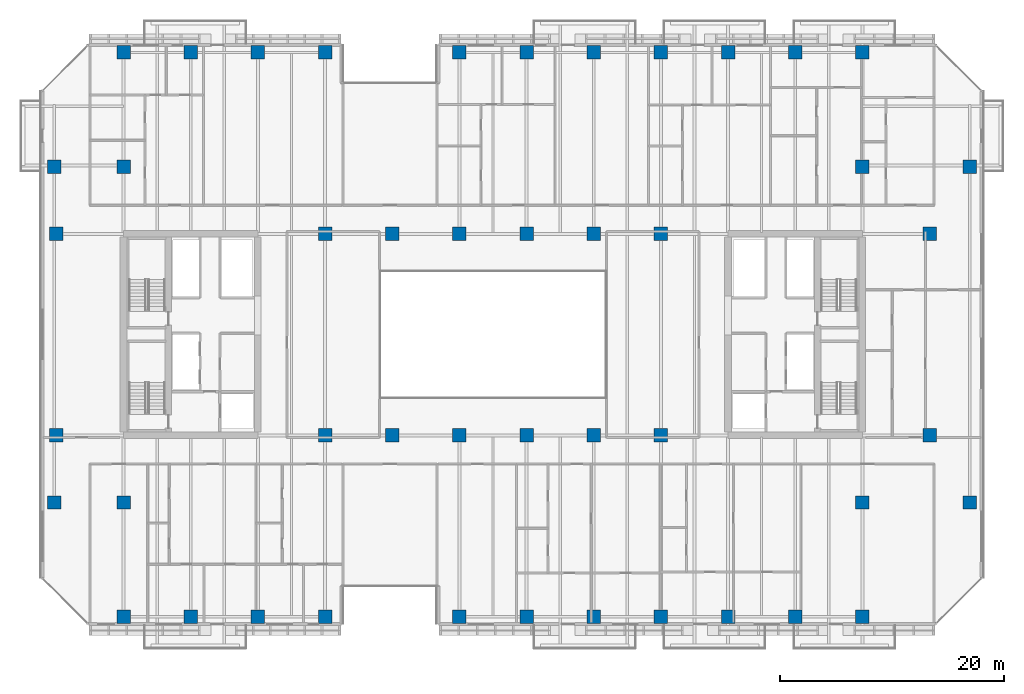
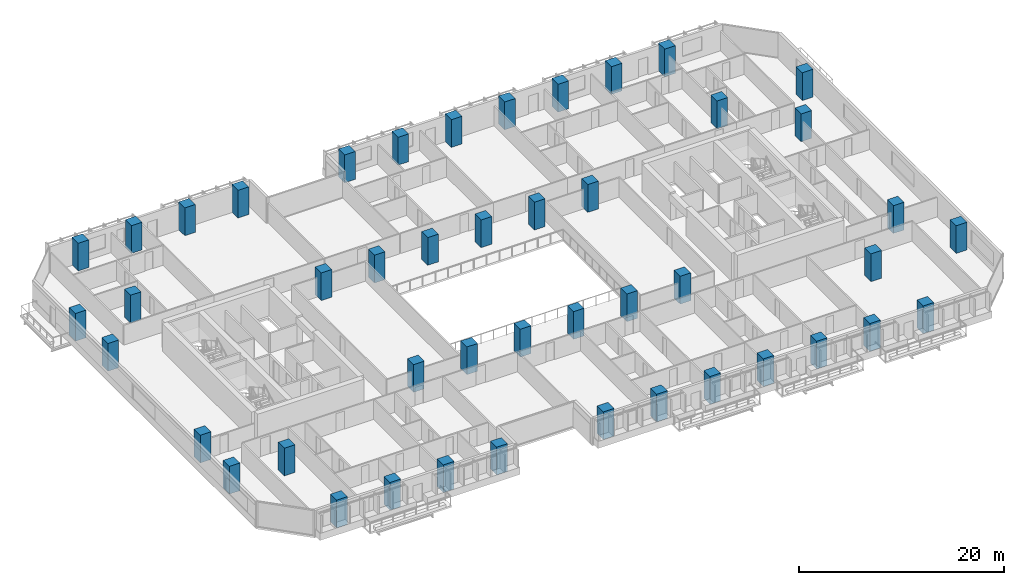
# One storey, part 1 of 33: 46 columns.
"""IFC4 building model written with IfcOpenShell, lengths in metres."""

from ifc_helpers import new_model, si_unit, direction, frame, origin, origin_2d, place, context, subcontext, project, spatial, rectangle, extrude, material, material_profile, profile_set, type_object, element, save


model = new_model("IFC4")

# Units and contexts
model_context = context("Model", 3, precision=1e-05, world=origin(), true_north=direction((0.0, 1.0)))
body_context = subcontext(model_context, "Body", "Model", "MODEL_VIEW")
ifc_project = project(units=[si_unit("LENGTHUNIT", "METRE"), si_unit("AREAUNIT", "SQUARE_METRE"), si_unit("VOLUMEUNIT", "CUBIC_METRE"), si_unit("PLANEANGLEUNIT", "RADIAN"), si_unit("MASSUNIT", "GRAM", prefix="KILO")], contexts=[model_context])

# Site, building, storey
site_placement = place(None, origin())
site = spatial("IfcSite", under=ifc_project, at=site_placement, CompositionType="ELEMENT")
building_placement = place(site_placement, origin())
building = spatial("IfcBuilding", under=site, at=building_placement, Name="Tanjung Sevakor Pilgrim Tower", CompositionType="ELEMENT")
storey_placement = place(building_placement, frame((0.0, 0.0, 52.139892578125)))
storey = spatial("IfcBuildingStorey", under=building, at=storey_placement, Name="L14", CompositionType="ELEMENT", Elevation=52.139892578125)

# Columns
ifc_material = material(Name="Concrete C60/75", Category="concrete")
ifc_material_profile = material_profile(ifc_material, rectangle(XDim=1.199951171875, YDim=1.199951171875, at=origin_2d()))
ifc_profile_set = profile_set([ifc_material_profile], Name="Concrete C60/75")
column_type = type_object("IfcColumnType", Name="COL-C-T1200-RC_1200x1200", PredefinedType="COLUMN", material=ifc_profile_set)
for number, where, z_axis, x_axis, name in (
    (1, (18.0, 24.60009765625, 0.0), (0.0, 0.0, 1.0), (1.0, 0.0, 0.0), "L14 Column SPW-018-246"),
    (2, (18.0, 42.60009765625, 0.0), (0.0, 0.0, 1.0), (1.0, 0.0, 0.0), "L14 Column SPW-018-426"),
    (3, (42.0, 24.60009765625, 0.0), (0.0, 0.0, 1.0), (1.0, 0.0, 0.0), "L14 Column SPW-042-246"),
    (4, (42.0, 42.60009765625, 0.0), (0.0, 0.0, 1.0), (1.0, 0.0, 0.0), "L14 Column SPW-042-426"),
    (5, (48.0, 24.60009765625, 0.0), (0.0, 0.0, 1.0), (1.0, 0.0, 0.0), "L14 Column SPW-048-246"),
    (6, (48.0, 42.60009765625, 0.0), (0.0, 0.0, 1.0), (1.0, 0.0, 0.0), "L14 Column SPW-048-426"),
    (7, (54.0, 24.60009765625, 0.0), (0.0, 0.0, 1.0), (1.0, 0.0, 0.0), "L14 Column SPE-054-246"),
    (8, (54.0, 42.60009765625, 0.0), (0.0, 0.0, 1.0), (1.0, 0.0, 0.0), "L14 Column SPE-054-426"),
    (9, (60.0, 24.60009765625, 0.0), (0.0, 0.0, 1.0), (1.0, 0.0, 0.0), "L14 Column SPE-060-246"),
    (10, (60.0, 42.60009765625, 0.0), (0.0, 0.0, 1.0), (1.0, 0.0, 0.0), "L14 Column SPE-060-426"),
    (11, (66.0, 24.60009765625, 0.0), (0.0, 0.0, 1.0), (1.0, 0.0, 0.0), "L14 Column SPE-066-246"),
    (12, (66.0, 42.60009765625, 0.0), (0.0, 0.0, 1.0), (1.0, 0.0, 0.0), "L14 Column SPE-066-426"),
    (13, (72.0, 24.60009765625, 0.0), (0.0, 0.0, 1.0), (1.0, 0.0, 0.0), "L14 Column SPE-072-246"),
    (14, (72.0, 42.60009765625, 0.0), (0.0, 0.0, 1.0), (1.0, 0.0, 0.0), "L14 Column SPE-072-426"),
    (15, (96.0, 24.60009765625, 0.0), (0.0, 0.0, 1.0), (1.0, 0.0, 0.0), "L14 Column SPE-096-246"),
    (16, (96.0, 42.60009765625, 0.0), (0.0, 0.0, 1.0), (1.0, 0.0, 0.0), "L14 Column SPE-096-426"),
    (17, (17.800048828125, 18.60009765625, 0.0), (0.0, 0.0, 1.0), (1.0, 0.0, 0.0), "L14 Column TCE-0178-186"),
    (18, (17.800048828125, 48.60009765625, 0.0), (0.0, 0.0, 1.0), (1.0, 0.0, 0.0), "L14 Column TCE-0178-486"),
    (19, (24.0, 18.60009765625, 0.0), (0.0, 0.0, 1.0), (1.0, 0.0, 0.0), "L14 Column TCE-0240-186"),
    (20, (24.0, 48.60009765625, 0.0), (0.0, 0.0, 1.0), (1.0, 0.0, 0.0), "L14 Column TCE-0240-486"),
    (21, (90.0, 18.60009765625, 0.0), (0.0, 0.0, 1.0), (1.0, 0.0, 0.0), "L14 Column TCE-0900-186"),
    (22, (90.0, 48.60009765625, 0.0), (0.0, 0.0, 1.0), (1.0, 0.0, 0.0), "L14 Column TCE-0900-486"),
    (23, (99.60009765625, 18.60009765625, 0.0), (0.0, 0.0, 1.0), (1.0, 0.0, 0.0), "L14 Column TCE-0996-186"),
    (24, (99.60009765625, 48.60009765625, 0.0), (0.0, 0.0, 1.0), (1.0, 0.0, 0.0), "L14 Column TCE-0996-486"),
    (25, (24.0, 8.39990234375, 0.0), (0.0, 0.0, 1.0), (1.0, 0.0, 0.0), "L14 Column TC1-024-084"),
    (26, (24.0, 58.800048828125, 0.0), (0.0, 0.0, 1.0), (1.0, 0.0, 0.0), "L14 Column TC1-024-588"),
    (27, (30.0, 8.39990234375, 0.0), (0.0, 0.0, 1.0), (1.0, 0.0, 0.0), "L14 Column TC1-030-084"),
    (28, (30.0, 58.800048828125, 0.0), (0.0, 0.0, 1.0), (1.0, 0.0, 0.0), "L14 Column TC1-030-588"),
    (29, (36.0, 8.39990234375, 0.0), (0.0, 0.0, 1.0), (1.0, 0.0, 0.0), "L14 Column TC1-036-084"),
    (30, (36.0, 58.800048828125, 0.0), (0.0, 0.0, 1.0), (1.0, 0.0, 0.0), "L14 Column TC1-036-588"),
    (31, (42.0, 8.39990234375, 0.0), (0.0, 0.0, 1.0), (1.0, 0.0, 0.0), "L14 Column TC1-042-084"),
    (32, (42.0, 58.800048828125, 0.0), (0.0, 0.0, 1.0), (1.0, 0.0, 0.0), "L14 Column TC1-042-588"),
    (33, (54.0, 8.39990234375, 0.0), (0.0, 0.0, 1.0), (1.0, 0.0, 0.0), "L14 Column TC1-054-084"),
    (34, (54.0, 58.800048828125, 0.0), (0.0, 0.0, 1.0), (1.0, 0.0, 0.0), "L14 Column TC1-054-588"),
    (35, (60.0, 8.39990234375, 0.0), (0.0, 0.0, 1.0), (1.0, 0.0, 0.0), "L14 Column TC1-060-084"),
    (36, (60.0, 58.800048828125, 0.0), (0.0, 0.0, 1.0), (1.0, 0.0, 0.0), "L14 Column TC1-060-588"),
    (37, (66.0, 8.39990234375, 0.0), (0.0, 0.0, 1.0), (1.0, 0.0, 0.0), "L14 Column TC1-066-084"),
    (38, (66.0, 58.800048828125, 0.0), (0.0, 0.0, 1.0), (1.0, 0.0, 0.0), "L14 Column TC1-066-588"),
    (39, (72.0, 8.39990234375, 0.0), (0.0, 0.0, 1.0), (1.0, 0.0, 0.0), "L14 Column TC1-072-084"),
    (40, (72.0, 58.800048828125, 0.0), (0.0, 0.0, 1.0), (1.0, 0.0, 0.0), "L14 Column TC1-072-588"),
    (41, (78.0, 8.39990234375, 0.0), (0.0, 0.0, 1.0), (1.0, 0.0, 0.0), "L14 Column TC1-078-084"),
    (42, (78.0, 58.800048828125, 0.0), (0.0, 0.0, 1.0), (1.0, 0.0, 0.0), "L14 Column TC1-078-588"),
    (43, (84.0, 8.39990234375, 0.0), (0.0, 0.0, 1.0), (1.0, 0.0, 0.0), "L14 Column TC1-084-084"),
    (44, (84.0, 58.800048828125, 0.0), (0.0, 0.0, 1.0), (1.0, 0.0, 0.0), "L14 Column TC1-084-588"),
    (45, (90.0, 8.39990234375, 0.0), (0.0, 0.0, 1.0), (1.0, 0.0, 0.0), "L14 Column TC1-090-084"),
    (46, (90.0, 58.800048828125, 0.0), (0.0, 0.0, 1.0), (1.0, 0.0, 0.0), "L14 Column TC1-090-588"),
):
    element("IfcColumn", number, at=place(storey_placement, frame(where, z_axis=z_axis, x_axis=x_axis)), inside=storey, type_object=column_type, Name=name, PredefinedType="COLUMN", context=body_context, shape_type="SweptSolid", body=[
        extrude(rectangle(XDim=1.199951171875, YDim=1.199951171875, at=origin_2d()), origin(), (0.0, 0.0, 1.0), 3.300048828125),
    ])

save(model, "model.ifc")
